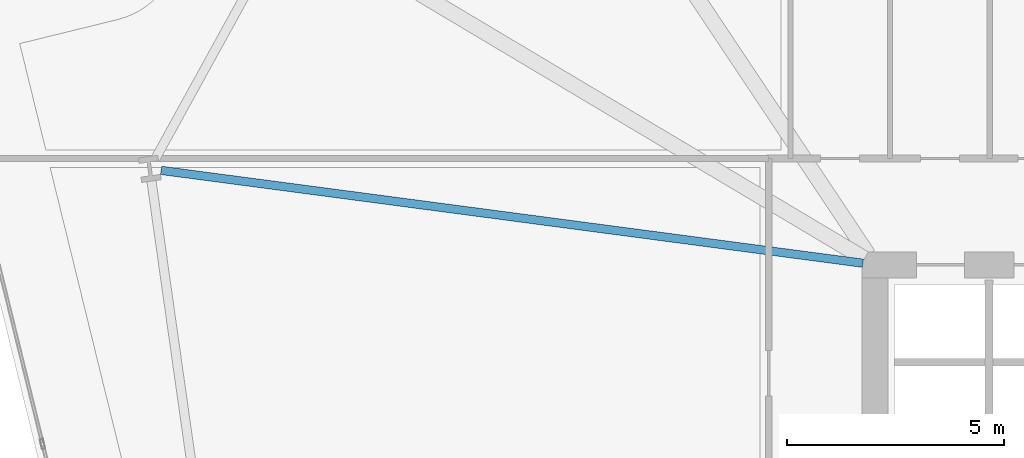
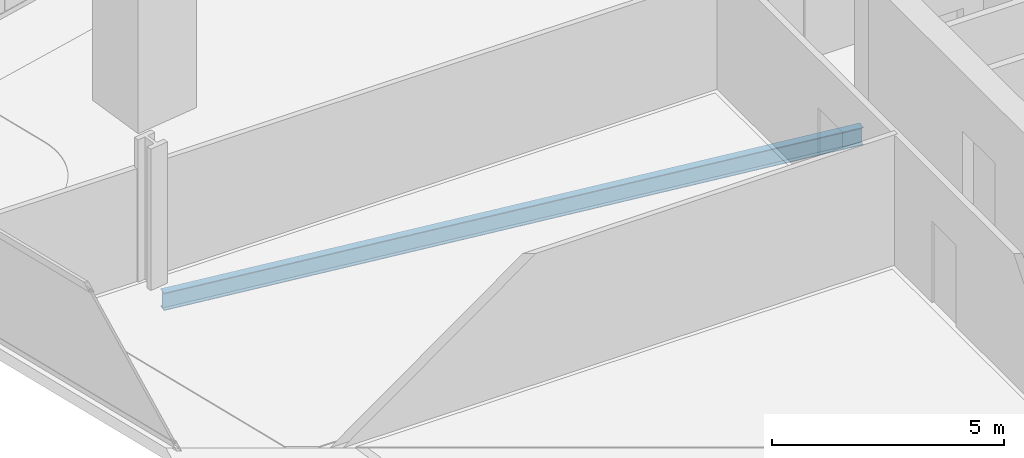
# One storey, part 13 of 32: 1 beam.
"""IFC4 building model written with IfcOpenShell, lengths in metres."""

from ifc_helpers import new_model, si_unit, direction, frame, origin, origin_2d, place, context, subcontext, project, spatial, i_section, extrude, material, material_profile, profile_set, type_object, element, save


model = new_model("IFC4")

# Units and contexts
model_context = context("Model", 3, precision=1e-05, world=origin(), true_north=direction((0.0, 1.0)))
body_context = subcontext(model_context, "Body", "Model", "MODEL_VIEW")
ifc_project = project(units=[si_unit("LENGTHUNIT", "METRE"), si_unit("AREAUNIT", "SQUARE_METRE"), si_unit("VOLUMEUNIT", "CUBIC_METRE"), si_unit("PLANEANGLEUNIT", "RADIAN"), si_unit("MASSUNIT", "GRAM", prefix="KILO")], contexts=[model_context])

# Site, building, storey
site_placement = place(None, origin())
site = spatial("IfcSite", under=ifc_project, at=site_placement, CompositionType="ELEMENT")
building_placement = place(site_placement, origin())
building = spatial("IfcBuilding", under=site, at=building_placement, Name="Haldenkirk Collegiate Tower", CompositionType="ELEMENT")
storey_placement = place(building_placement, frame((0.0, 0.0, 73.949951171875)))
storey = spatial("IfcBuildingStorey", under=building, at=storey_placement, Name="L17", CompositionType="ELEMENT", Elevation=73.949951171875)

# Beam
ifc_material = material(Name="Steel ASTM A992 Grade 50", Category="steel")
ifc_material_profile = material_profile(ifc_material, i_section(OverallWidth=0.19189453125, OverallDepth=0.462890625, WebThickness=0.010498046875, FlangeThickness=0.017578125, at=origin_2d()), Name="W18X60")
ifc_profile_set = profile_set([ifc_material_profile], Name="Steel ASTM A992 Grade 50")
beam_type = type_object("IfcBeamType", Name="BM-JOIST-W18X60", PredefinedType="JOIST", material=ifc_profile_set)
beam_placement = place(storey_placement, frame((10.5283203125, 36.17822265625, -0.54150390625), z_axis=(0.991368569067, -0.131104386906, 0.0), x_axis=(0.131104386906, 0.991368569067, 0.0)))
element("IfcBeam", 1, at=beam_placement, inside=storey, type_object=beam_type, Name="L17 composite floor joist 14", PredefinedType="JOIST", context=body_context, shape_type="SweptSolid", body=[
    extrude(i_section(OverallWidth=0.19189453125, OverallDepth=0.462890625, WebThickness=0.010498046875, FlangeThickness=0.017578125, at=origin_2d()), origin(), (0.0, 0.0, 1.0), 16.335205078125),
])

save(model, "model.ifc")
